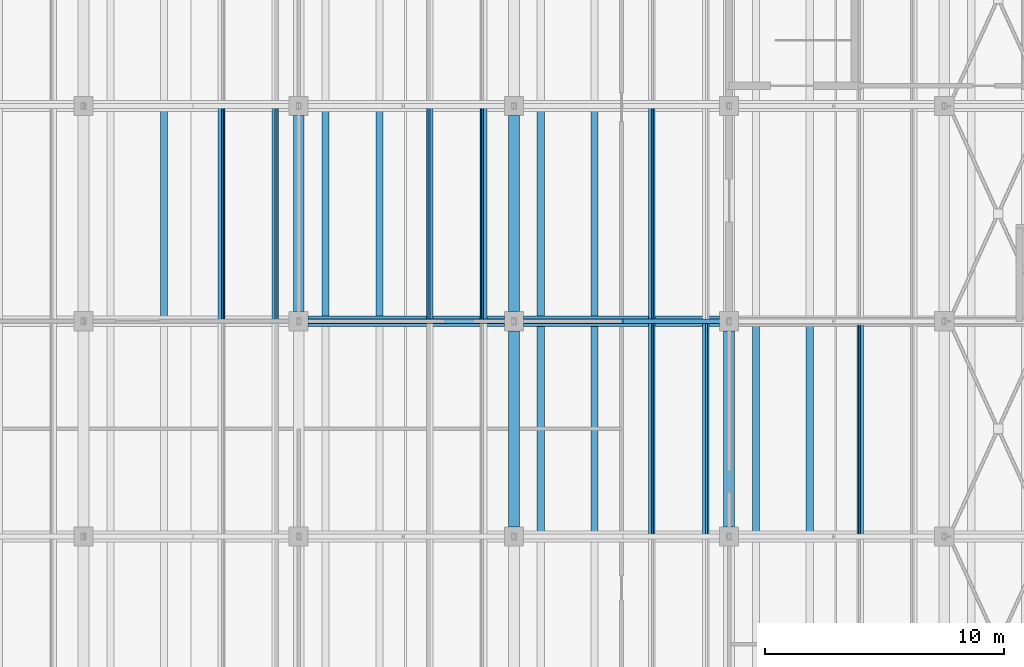
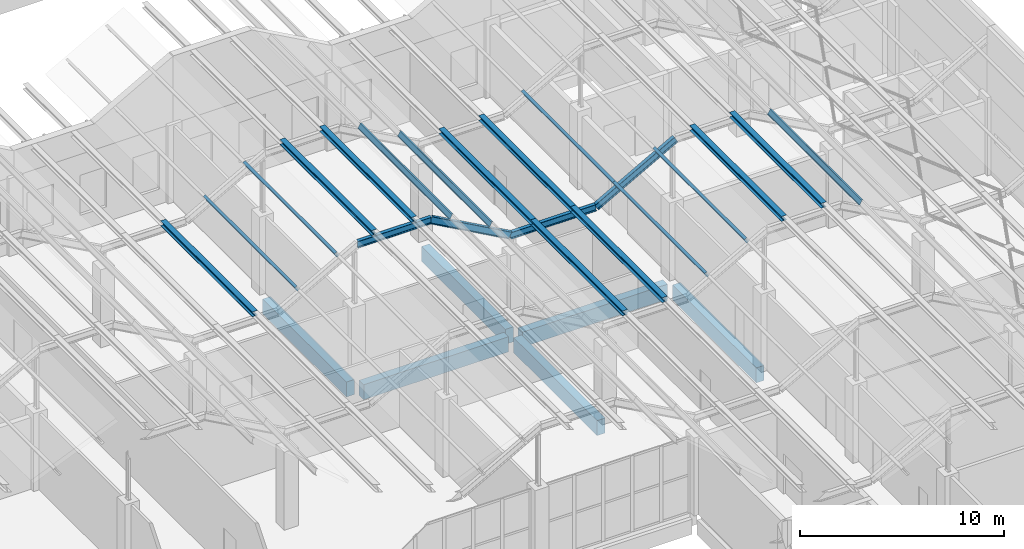
# One storey, part 63 of 437: 21 members, 6 beams.
"""IFC4 building model written with IfcOpenShell, lengths in metres."""

from ifc_helpers import new_model, si_unit, direction, frame, origin, origin_2d, place, context, subcontext, project, spatial, rectangle, i_section, extrude, material, material_profile, profile_set, type_object, element, save


model = new_model("IFC4")

# Units and contexts
model_context = context("Model", 3, precision=1e-05, world=origin(), true_north=direction((0.0, 1.0)))
body_context = subcontext(model_context, "Body", "Model", "MODEL_VIEW")
ifc_project = project(units=[si_unit("LENGTHUNIT", "METRE"), si_unit("AREAUNIT", "SQUARE_METRE"), si_unit("VOLUMEUNIT", "CUBIC_METRE"), si_unit("PLANEANGLEUNIT", "RADIAN"), si_unit("MASSUNIT", "GRAM", prefix="KILO")], contexts=[model_context])

# Site, building, storey
site_placement = place(None, origin())
site = spatial("IfcSite", under=ifc_project, at=site_placement, CompositionType="ELEMENT")
building_placement = place(site_placement, origin())
building = spatial("IfcBuilding", under=site, at=building_placement, Name="Opaline Strait Convention Centre", CompositionType="ELEMENT")
storey_placement = place(building_placement, frame((0.0, 0.0, 11.5)))
storey = spatial("IfcBuildingStorey", under=building, at=storey_placement, Name="L02", CompositionType="ELEMENT", Elevation=11.5)

# Members
ifc_material_1 = material(Name="Steel Q355B", Category="steel")
ifc_material_profile_1 = material_profile(ifc_material_1, i_section(OverallWidth=0.300048828125, OverallDepth=0.300048828125, WebThickness=0.010009765625, FlangeThickness=0.014892578125, FilletRadius=0.012939453125, at=origin_2d()), Name="HW 300x300x10x15")
ifc_profile_set_1 = profile_set([ifc_material_profile_1], Name="Steel Q355B")
member_type_1 = type_object("IfcMemberType", Name="Crest purlin HW 300x300x10x15", PredefinedType="PURLIN", material=ifc_profile_set_1)
for number, where, z_axis, x_axis, name in (
    (1, (39.375, 81.0, 5.949951171875), (0.0, 1.0, 0.0), (-1.0, 0.0, 0.0), "RU1 purlin facet 7 line 2"),
    (2, (46.125, 81.0, 8.449951171875), (0.0, 1.0, 0.0), (-1.0, 0.0, 0.0), "RU1 purlin facet 9 line 1"),
    (3, (48.375, 81.0, 8.449951171875), (0.0, 1.0, 0.0), (-1.0, 0.0, 0.0), "RU1 purlin facet 9 line 2"),
    (4, (55.125, 72.0, 5.949951171875), (0.0, 1.0, 0.0), (-1.0, 0.0, 0.0), "RU1 purlin facet 11 line 1"),
    (5, (55.125, 81.0, 5.949951171875), (0.0, 1.0, 0.0), (-1.0, 0.0, 0.0), "RU1 purlin facet 11 line 1"),
    (6, (57.375, 72.0, 5.949951171875), (0.0, 1.0, 0.0), (-1.0, 0.0, 0.0), "RU1 purlin facet 11 line 2"),
    (7, (57.375, 81.0, 5.949951171875), (0.0, 1.0, 0.0), (-1.0, 0.0, 0.0), "RU1 purlin facet 11 line 2"),
    (8, (64.125, 72.0, 8.449951171875), (0.0, 1.0, 0.0), (-1.0, 0.0, 0.0), "RU1 purlin facet 13 line 1"),
    (9, (66.375, 72.0, 8.449951171875), (0.0, 1.0, 0.0), (-1.0, 0.0, 0.0), "RU1 purlin facet 13 line 2"),
):
    element("IfcMember", number, at=place(storey_placement, frame(where, z_axis=z_axis, x_axis=x_axis)), inside=storey, type_object=member_type_1, Name=name, PredefinedType="PURLIN", context=body_context, shape_type="SweptSolid", body=[
        extrude(i_section(OverallWidth=0.300048828125, OverallDepth=0.300048828125, WebThickness=0.010009765625, FlangeThickness=0.014892578125, FilletRadius=0.012939453125, at=origin_2d()), origin(), (0.0, 0.0, 1.0), 9.0),
    ])

# Beams
ifc_material_2 = material(Name="Concrete C35", Category="concrete")
ifc_material_profile_2 = material_profile(ifc_material_2, rectangle(XDim=0.449951171875, YDim=0.89990234375, at=origin_2d()), Name="RC 450x900")
ifc_profile_set_2 = profile_set([ifc_material_profile_2], Name="Concrete C35")
beam_type = type_object("IfcBeamType", Name="RC beam 450x900 C35", PredefinedType="BEAM", material=ifc_profile_set_2)
for number, where, z_axis, x_axis, name in (
    (10, (45.39990234375, 81.0, -0.72998046875), (1.0, 0.0, 0.0), (0.0, 1.0, 0.0), "XB1 L02 45/81-54/81"),
    (11, (54.39990234375, 81.0, -0.72998046875), (1.0, 0.0, 0.0), (0.0, 1.0, 0.0), "XB1 L02 54/81-63/81"),
    (12, (45.0, 81.39990234375, -0.72998046875), (0.0, 1.0, 0.0), (-1.0, 0.0, 0.0), "XB1 L02 45/81-45/90"),
    (13, (54.0, 72.39990234375, -0.72998046875), (0.0, 1.0, 0.0), (-1.0, 0.0, 0.0), "XB1 L02 54/72-54/81"),
    (14, (54.0, 81.39990234375, -0.72998046875), (0.0, 1.0, 0.0), (-1.0, 0.0, 0.0), "XB1 L02 54/81-54/90"),
    (15, (63.0, 72.39990234375, -0.72998046875), (0.0, 1.0, 0.0), (-1.0, 0.0, 0.0), "XB1 L02 63/72-63/81"),
):
    element("IfcBeam", number, at=place(storey_placement, frame(where, z_axis=z_axis, x_axis=x_axis)), inside=storey, type_object=beam_type, Name=name, PredefinedType="BEAM", context=body_context, shape_type="SweptSolid", body=[
        extrude(rectangle(XDim=0.449951171875, YDim=0.89990234375, at=origin_2d()), origin(), (0.0, 0.0, 1.0), 8.2001953125),
    ])

# Members
ifc_material_profile_3 = material_profile(ifc_material_1, i_section(OverallWidth=0.14990234375, OverallDepth=0.300048828125, WebThickness=0.006591796875, FlangeThickness=0.009033203125, FilletRadius=0.012939453125, at=origin_2d()), Name="HN 300x150x6.5x9")
ifc_profile_set_3 = profile_set([ifc_material_profile_3], Name="Steel Q355B")
member_type_2 = type_object("IfcMemberType", Name="Roof purlin HN 300x150x6.5x9", PredefinedType="PURLIN", material=ifc_profile_set_3)
for number, where, z_axis, x_axis, name in (
    (16, (41.770751953125, 81.0, 6.61279296875), (0.0, 1.0, 0.0), (-0.874157310866, 0.0, -0.485642868639), "RU1 purlin facet 8 line 1"),
    (17, (44.020751953125, 81.0, 7.86279296875), (0.0, 1.0, 0.0), (-0.874157310866, 0.0, -0.485642868639), "RU1 purlin facet 8 line 2"),
    (18, (50.479248046875, 81.0, 7.86279296875), (0.0, 1.0, 0.0), (-0.874157310866, 0.0, 0.485642868639), "RU1 purlin facet 10 line 1"),
    (19, (52.729248046875, 81.0, 6.61279296875), (0.0, 1.0, 0.0), (-0.874157310866, 0.0, 0.485642868639), "RU1 purlin facet 10 line 2"),
    (20, (59.770751953125, 72.0, 6.61279296875), (0.0, 1.0, 0.0), (-0.874157310866, 0.0, -0.485642868639), "RU1 purlin facet 12 line 1"),
    (21, (59.770751953125, 81.0, 6.61279296875), (0.0, 1.0, 0.0), (-0.874157310866, 0.0, -0.485642868639), "RU1 purlin facet 12 line 1"),
    (22, (62.020751953125, 72.0, 7.86279296875), (0.0, 1.0, 0.0), (-0.874157310866, 0.0, -0.485642868639), "RU1 purlin facet 12 line 2"),
    (23, (68.479248046875, 72.0, 7.86279296875), (0.0, 1.0, 0.0), (-0.874157310866, 0.0, 0.485642868639), "RU1 purlin facet 14 line 1"),
):
    element("IfcMember", number, at=place(storey_placement, frame(where, z_axis=z_axis, x_axis=x_axis)), inside=storey, type_object=member_type_2, Name=name, PredefinedType="PURLIN", context=body_context, shape_type="SweptSolid", body=[
        extrude(i_section(OverallWidth=0.14990234375, OverallDepth=0.300048828125, WebThickness=0.006591796875, FlangeThickness=0.009033203125, FilletRadius=0.012939453125, at=origin_2d()), origin(), (0.0, 0.0, 1.0), 9.0),
    ])
ifc_material_profile_4 = material_profile(ifc_material_1, i_section(OverallWidth=0.199951171875, OverallDepth=0.39990234375, WebThickness=0.008056640625, FlangeThickness=0.012939453125, FilletRadius=0.012939453125, at=origin_2d()), Name="HN 400x200x8x13")
ifc_profile_set_4 = profile_set([ifc_material_profile_4], Name="Steel Q355B")
member_type_3 = type_object("IfcMemberType", Name="Roof rafter HN 400x200x8x13", PredefinedType="RAFTER", material=ifc_profile_set_4)
member_1_placement = place(storey_placement, frame((45.16845703125, 81.0, 8.10009765625), z_axis=(1.0, 0.0, 0.0), x_axis=(0.0, 1.0, 0.0)))
element("IfcMember", 24, at=member_1_placement, inside=storey, type_object=member_type_3, Name="RR1 rafter line 9 facet 10", PredefinedType="RAFTER", context=body_context, shape_type="SweptSolid", body=[
    extrude(i_section(OverallWidth=0.199951171875, OverallDepth=0.39990234375, WebThickness=0.008056640625, FlangeThickness=0.012939453125, FilletRadius=0.012939453125, at=origin_2d()), origin(), (0.0, 0.0, 1.0), 4.1630859375),
])
member_2_placement = place(storey_placement, frame((49.33154296875, 81.0, 8.10009765625), z_axis=(0.874157276122, 0.0, -0.485642931179), x_axis=(0.0, 1.0, 0.0)))
element("IfcMember", 25, at=member_2_placement, inside=storey, type_object=member_type_3, Name="RR1 rafter line 9 facet 11", PredefinedType="RAFTER", context=body_context, shape_type="SweptSolid", body=[
    extrude(i_section(OverallWidth=0.199951171875, OverallDepth=0.39990234375, WebThickness=0.008056640625, FlangeThickness=0.012939453125, FilletRadius=0.012939453125, at=origin_2d()), origin(), (0.0, 0.0, 1.0), 5.147705078125),
])
member_3_placement = place(storey_placement, frame((53.83154296875, 81.0, 5.60009765625), z_axis=(1.0, 0.0, 0.0), x_axis=(0.0, 1.0, 0.0)))
element("IfcMember", 26, at=member_3_placement, inside=storey, type_object=member_type_3, Name="RR1 rafter line 9 facet 12", PredefinedType="RAFTER", context=body_context, shape_type="SweptSolid", body=[
    extrude(i_section(OverallWidth=0.199951171875, OverallDepth=0.39990234375, WebThickness=0.008056640625, FlangeThickness=0.012939453125, FilletRadius=0.012939453125, at=origin_2d()), origin(), (0.0, 0.0, 1.0), 4.8369140625),
])
member_4_placement = place(storey_placement, frame((58.66845703125, 81.0, 5.60009765625), z_axis=(0.874157276122, 0.0, 0.485642931179), x_axis=(0.0, 1.0, 0.0)))
element("IfcMember", 27, at=member_4_placement, inside=storey, type_object=member_type_3, Name="RR1 rafter line 9 facet 13", PredefinedType="RAFTER", context=body_context, shape_type="SweptSolid", body=[
    extrude(i_section(OverallWidth=0.199951171875, OverallDepth=0.39990234375, WebThickness=0.008056640625, FlangeThickness=0.012939453125, FilletRadius=0.012939453125, at=origin_2d()), origin(), (0.0, 0.0, 1.0), 5.147705078125),
])

save(model, "model.ifc")
